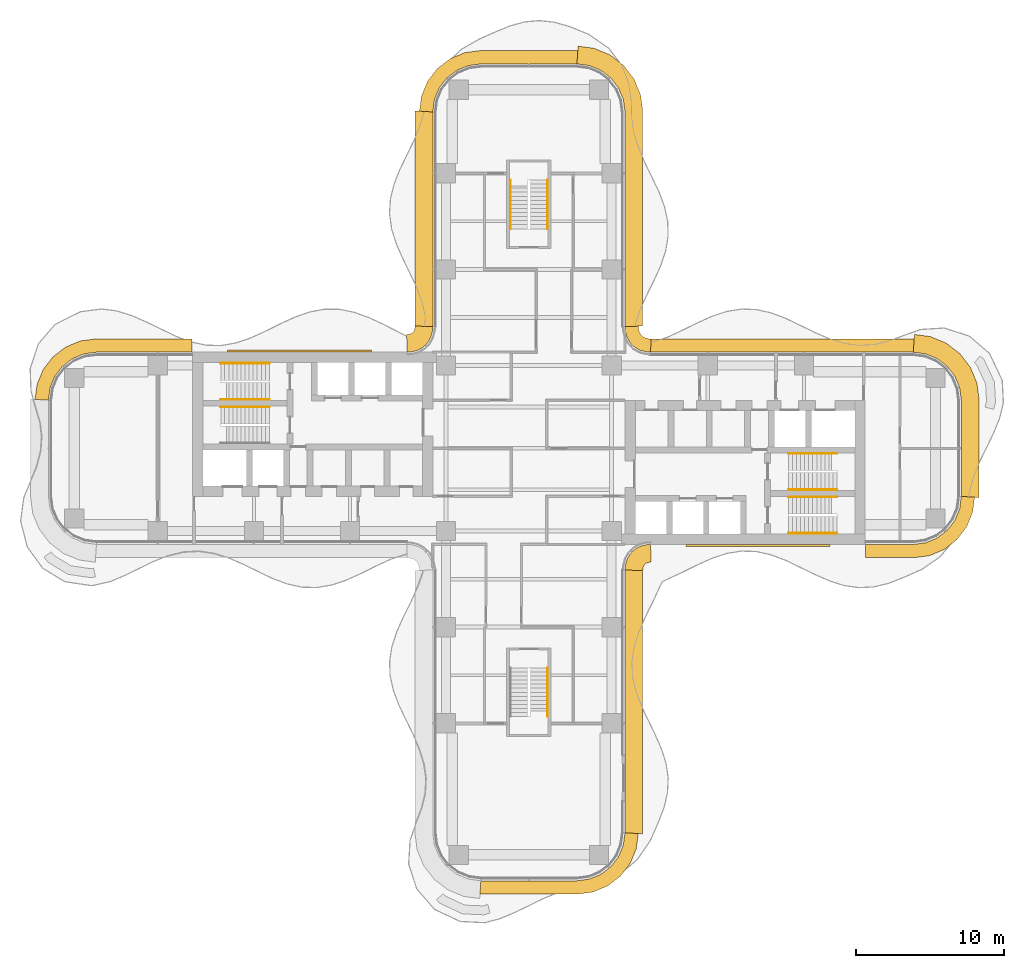
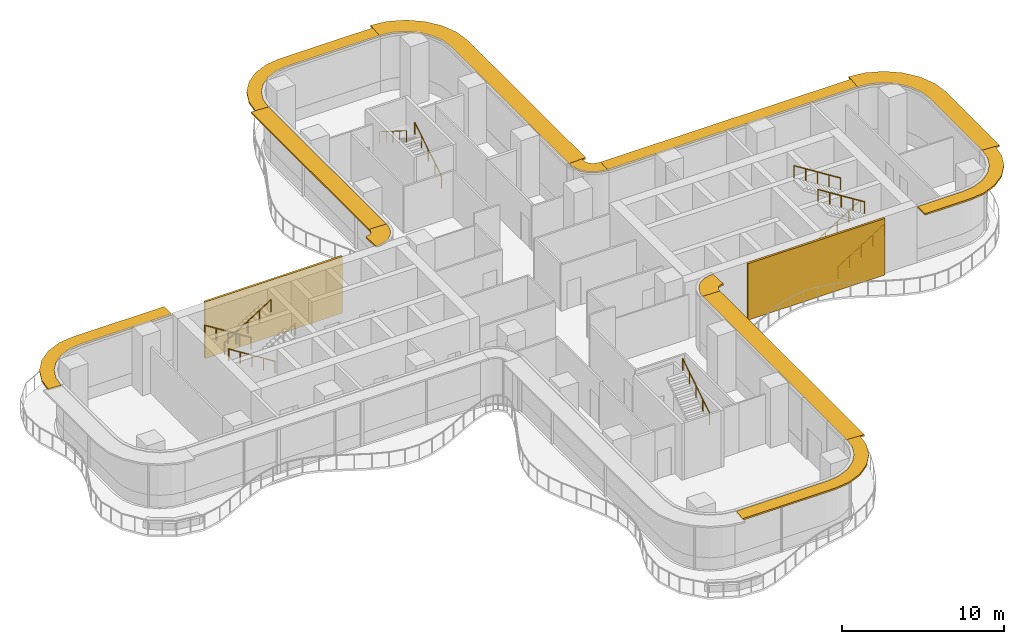
# One storey, part 21 of 21: 12 shading devices, 10 railings, 2 coverings.
"""IFC4 building model written with IfcOpenShell, lengths in metres."""

from ifc_helpers import new_model, si_unit, direction, frame, origin, origin_2d, place, context, subcontext, project, spatial, polyline, circle, outline, extrude, source, transform, mapped, material, layer, layer_set, type_object, element, save


model = new_model("IFC4")

# Units and contexts
model_context = context("Model", 3, precision=1e-05, world=origin(), true_north=direction((0.0, 1.0)))
body_context = subcontext(model_context, "Body", "Model", "MODEL_VIEW")
ifc_project = project(units=[si_unit("LENGTHUNIT", "METRE"), si_unit("AREAUNIT", "SQUARE_METRE"), si_unit("VOLUMEUNIT", "CUBIC_METRE"), si_unit("PLANEANGLEUNIT", "RADIAN"), si_unit("MASSUNIT", "GRAM", prefix="KILO")], contexts=[model_context])

# Site, building, storey
site_placement = place(None, origin())
site = spatial("IfcSite", under=ifc_project, at=site_placement, CompositionType="ELEMENT")
building_placement = place(site_placement, origin())
building = spatial("IfcBuilding", under=site, at=building_placement, Name="Trellis Farm Tower", CompositionType="ELEMENT")
storey_placement = place(building_placement, frame((0.0, 0.0, 106.5)))
storey = spatial("IfcBuildingStorey", under=building, at=storey_placement, Name="L22", CompositionType="ELEMENT", Elevation=106.5)

# Railings
ifc_material_1 = material(Name="Stainless steel", Category="steel")
railing_type = type_object("IfcRailingType", Name="STAIR HANDRAIL 900", PredefinedType="HANDRAIL", material=ifc_material_1)
shared_shape_1 = source(origin(), body_context, "Body", "SweptSolid", [
    extrude(circle(Radius=0.02392578125, at=origin_2d()), frame((0.0, 0.0, 0.8759765625), z_axis=(0.0, 0.846319618018, 0.532675421018), x_axis=(-1.0, 0.0, 0.0)), (0.0, 0.0, 1.0), 3.89892578125),
    extrude(circle(Radius=0.02099609375, at=origin_2d()), origin(), (0.0, 0.0, 1.0), 0.851806640625),
    extrude(circle(Radius=0.02099609375, at=origin_2d()), frame((0.0, 0.824951171875, 0.519287109375)), (0.0, 0.0, 1.0), 0.851806640625),
    extrude(circle(Radius=0.02099609375, at=origin_2d()), frame((0.0, 1.64990234375, 1.03857421875)), (0.0, 0.0, 1.0), 0.851806640625),
    extrude(circle(Radius=0.02099609375, at=origin_2d()), frame((0.0, 2.474853515625, 1.5576171875)), (0.0, 0.0, 1.0), 0.851806640625),
    extrude(circle(Radius=0.02099609375, at=origin_2d()), frame((0.0, 3.2998046875, 2.076904296875)), (0.0, 0.0, 1.0), 0.851806640625),
])
for number, where, name in (
    (1, (1.25, 14.85009765625, 0.173095703125), "Stair handrail"),
    (2, (1.25, -18.14990234375, 2.423095703125), "Stair handrail"),
):
    element("IfcRailing", number, at=place(storey_placement, frame(where)), inside=storey, type_object=railing_type, Name=name, PredefinedType="HANDRAIL", context=body_context, shape_type="MappedRepresentation", body=[
        mapped(shared_shape_1, transform((0.0, 0.0, 0.0))),
    ])
shared_shape_2 = source(origin(), body_context, "Body", "SweptSolid", [
    extrude(circle(Radius=0.02392578125, at=origin_2d()), frame((0.0, 0.0, 0.8759765625), z_axis=(0.0, -0.846319618018, 0.532675421018), x_axis=(1.0, 0.0, 0.0)), (0.0, 0.0, 1.0), 3.89892578125),
    extrude(circle(Radius=0.02099609375, at=origin_2d()), origin(), (0.0, 0.0, 1.0), 0.851806640625),
    extrude(circle(Radius=0.02099609375, at=origin_2d()), frame((0.0, -0.824951171875, 0.519287109375)), (0.0, 0.0, 1.0), 0.851806640625),
    extrude(circle(Radius=0.02099609375, at=origin_2d()), frame((0.0, -1.64990234375, 1.03857421875)), (0.0, 0.0, 1.0), 0.851806640625),
    extrude(circle(Radius=0.02099609375, at=origin_2d()), frame((0.0, -2.474853515625, 1.5576171875)), (0.0, 0.0, 1.0), 0.851806640625),
    extrude(circle(Radius=0.02099609375, at=origin_2d()), frame((0.0, -3.2998046875, 2.076904296875)), (0.0, 0.0, 1.0), 0.851806640625),
])
railing_placement = place(storey_placement, frame((-1.25, 18.14990234375, 2.423095703125)))
element("IfcRailing", 3, at=railing_placement, inside=storey, type_object=railing_type, Name="Stair handrail", PredefinedType="HANDRAIL", context=body_context, shape_type="MappedRepresentation", body=[
    mapped(shared_shape_2, transform((0.0, 0.0, 0.0))),
])
shared_shape_3 = source(origin(), body_context, "Body", "SweptSolid", [
    extrude(circle(Radius=0.02392578125, at=origin_2d()), frame((0.0, 0.0, 0.8759765625), z_axis=(0.846337383501, 0.0, 0.532647194011), x_axis=(0.0, 1.0, 0.0)), (0.0, 0.0, 1.0), 3.899169921875),
    extrude(circle(Radius=0.02099609375, at=origin_2d()), origin(), (0.0, 0.0, 1.0), 0.851806640625),
    extrude(circle(Radius=0.02099609375, at=origin_2d()), frame((0.824951171875, 0.0, 0.519287109375)), (0.0, 0.0, 1.0), 0.851806640625),
    extrude(circle(Radius=0.02099609375, at=origin_2d()), frame((1.64990234375, 0.0, 1.03857421875)), (0.0, 0.0, 1.0), 0.851806640625),
    extrude(circle(Radius=0.02099609375, at=origin_2d()), frame((2.47509765625, 0.0, 1.5576171875)), (0.0, 0.0, 1.0), 0.851806640625),
    extrude(circle(Radius=0.02099609375, at=origin_2d()), frame((3.300048828125, 0.0, 2.076904296875)), (0.0, 0.0, 1.0), 0.851806640625),
])
for number, where, name in (
    (4, (17.550048828125, -5.75, 0.173095703125), "Stair handrail"),
    (5, (17.550048828125, -2.800048828125, 0.173095703125), "Stair handrail"),
    (6, (-20.85009765625, 3.300048828125, 2.423095703125), "Stair handrail"),
):
    element("IfcRailing", number, at=place(storey_placement, frame(where)), inside=storey, type_object=railing_type, Name=name, PredefinedType="HANDRAIL", context=body_context, shape_type="MappedRepresentation", body=[
        mapped(shared_shape_3, transform((0.0, 0.0, 0.0))),
    ])
shared_shape_4 = source(origin(), body_context, "Body", "SweptSolid", [
    extrude(circle(Radius=0.02392578125, at=origin_2d()), frame((0.0, 0.0, 0.8759765625), z_axis=(-0.846337383501, 0.0, 0.532647194011), x_axis=(0.0, -1.0, 0.0)), (0.0, 0.0, 1.0), 3.899169921875),
    extrude(circle(Radius=0.02099609375, at=origin_2d()), origin(), (0.0, 0.0, 1.0), 0.851806640625),
    extrude(circle(Radius=0.02099609375, at=origin_2d()), frame((-0.824951171875, 0.0, 0.519287109375)), (0.0, 0.0, 1.0), 0.851806640625),
    extrude(circle(Radius=0.02099609375, at=origin_2d()), frame((-1.64990234375, 0.0, 1.03857421875)), (0.0, 0.0, 1.0), 0.851806640625),
    extrude(circle(Radius=0.02099609375, at=origin_2d()), frame((-2.47509765625, 0.0, 1.5576171875)), (0.0, 0.0, 1.0), 0.851806640625),
    extrude(circle(Radius=0.02099609375, at=origin_2d()), frame((-3.300048828125, 0.0, 2.076904296875)), (0.0, 0.0, 1.0), 0.851806640625),
])
for number, where, name in (
    (7, (20.85009765625, -3.300048828125, 2.423095703125), "Stair handrail"),
    (8, (20.85009765625, -0.35009765625, 2.423095703125), "Stair handrail"),
    (9, (-17.550048828125, 5.75, 0.173095703125), "Stair handrail"),
    (10, (-17.550048828125, 2.800048828125, 0.173095703125), "Stair handrail"),
):
    element("IfcRailing", number, at=place(storey_placement, frame(where)), inside=storey, type_object=railing_type, Name=name, PredefinedType="HANDRAIL", context=body_context, shape_type="MappedRepresentation", body=[
        mapped(shared_shape_4, transform((0.0, 0.0, 0.0))),
    ])

# Shading devices
ifc_material_2 = material(Name="Aluminium extrusion 6063-T6", Category="aluminium")
ifc_layer_1 = layer(ifc_material_2, 0.1201171875)
ifc_layer_set_1 = layer_set([ifc_layer_1], Name="SUNSHADE BLADE 900")
shading_device_type_1 = type_object("IfcShadingDeviceType", Name="SUNSHADE BLADE 900", PredefinedType="USERDEFINED", material=ifc_layer_set_1)
shared_shape_5 = source(origin(), body_context, "Body", "SweptSolid", [
    extrude(outline(polyline([(-3.30908203125, -30.14990234375), (3.30908203125, -30.14990234375), (4.326171875, -30.01611328125), (5.328857421875, -29.600830078125), (6.18994140625, -28.93994140625), (6.850830078125, -28.078857421875), (7.26611328125, -27.076171875), (7.39990234375, -26.05908203125), (6.5, -26.0), (6.38916015625, -26.841064453125), (6.064697265625, -27.625), (5.548095703125, -28.298095703125), (4.875, -28.814697265625), (4.091064453125, -29.13916015625), (3.25, -29.25), (-3.25, -29.25), (-3.30908203125, -30.14990234375)])), origin(), (0.0, 0.0, 1.0), 0.119873046875),
])
placement_1 = place(storey_placement, frame((0.0, 0.0, 4.090087890625)))
element("IfcShadingDevice", 11, at=placement_1, inside=storey, type_object=shading_device_type_1, Name="SD1 004", ObjectType="SUNSHADE", PredefinedType="USERDEFINED", context=body_context, shape_type="MappedRepresentation", body=[
    mapped(shared_shape_5, transform((0.0, 0.0, 0.0))),
])
ifc_layer_2 = layer(ifc_material_2, 0.1201171875)
ifc_layer_set_2 = layer_set([ifc_layer_2], Name="SUNSHADE BLADE 1200")
shading_device_type_2 = type_object("IfcShadingDeviceType", Name="SUNSHADE BLADE 1200", PredefinedType="USERDEFINED", material=ifc_layer_set_2)
shared_shape_6 = source(origin(), body_context, "Body", "SweptSolid", [
    extrude(outline(polyline([(7.699951171875, -26.07861328125), (7.699951171875, -8.270751953125), (6.5, -8.2314453125), (6.5, -26.0), (7.699951171875, -26.07861328125)])), origin(), (0.0, 0.0, 1.0), 0.119873046875),
])
element("IfcShadingDevice", 12, at=placement_1, inside=storey, type_object=shading_device_type_2, Name="SD2 005", ObjectType="SUNSHADE", PredefinedType="USERDEFINED", context=body_context, shape_type="MappedRepresentation", body=[
    mapped(shared_shape_6, transform((0.0, 0.0, 0.0))),
])
shared_shape_7 = source(origin(), body_context, "Body", "SweptSolid", [
    extrude(outline(polyline([(7.699951171875, -8.270751953125), (7.708740234375, -8.13720703125), (7.70703125, -8.150146484375), (7.7548828125, -7.9716796875), (7.80712890625, -7.881103515625), (7.881103515625, -7.80712890625), (7.9716796875, -7.7548828125), (8.150146484375, -7.70703125), (8.13720703125, -7.708740234375), (8.270751953125, -7.699951171875), (8.2314453125, -6.5), (8.01953125, -6.513916015625), (7.91552734375, -6.527587890625), (7.508544921875, -6.63671875), (7.144287109375, -6.846923828125), (6.846923828125, -7.144287109375), (6.63671875, -7.508544921875), (6.527587890625, -7.91552734375), (6.513916015625, -8.01953125), (6.5, -8.2314453125), (7.699951171875, -8.270751953125)])), origin(), (0.0, 0.0, 1.0), 0.119873046875),
])
element("IfcShadingDevice", 13, at=placement_1, inside=storey, type_object=shading_device_type_2, Name="SD2 006", ObjectType="SUNSHADE", PredefinedType="USERDEFINED", context=body_context, shape_type="MappedRepresentation", body=[
    mapped(shared_shape_7, transform((0.0, 0.0, 0.0))),
])
shared_shape_8 = source(origin(), body_context, "Body", "SweptSolid", [
    extrude(outline(polyline([(8.2607421875, 7.39990234375), (8.107666015625, 7.409912109375), (8.091552734375, 7.412109375), (7.85595703125, 7.475341796875), (7.697021484375, 7.567138671875), (7.567138671875, 7.697021484375), (7.475341796875, 7.85595703125), (7.412109375, 8.091552734375), (7.409912109375, 8.107666015625), (7.39990234375, 8.2607421875), (6.5, 8.2314453125), (6.513916015625, 8.01953125), (6.527587890625, 7.91552734375), (6.63671875, 7.508544921875), (6.846923828125, 7.144287109375), (7.144287109375, 6.846923828125), (7.508544921875, 6.63671875), (7.91552734375, 6.527587890625), (8.01953125, 6.513916015625), (8.2314453125, 6.5), (8.2607421875, 7.39990234375)])), origin(), (0.0, 0.0, 1.0), 0.119873046875),
])
element("IfcShadingDevice", 14, at=placement_1, inside=storey, type_object=shading_device_type_1, Name="SD1 010", ObjectType="SUNSHADE", PredefinedType="USERDEFINED", context=body_context, shape_type="MappedRepresentation", body=[
    mapped(shared_shape_8, transform((0.0, 0.0, 0.0))),
])
shared_shape_9 = source(origin(), body_context, "Body", "SweptSolid", [
    extrude(outline(polyline([(-7.699951171875, 8.270751953125), (-7.708740234375, 8.13720703125), (-7.70703125, 8.150146484375), (-7.7548828125, 7.9716796875), (-7.80712890625, 7.881103515625), (-7.881103515625, 7.80712890625), (-7.9716796875, 7.7548828125), (-8.150146484375, 7.70703125), (-8.13720703125, 7.708740234375), (-8.270751953125, 7.699951171875), (-8.2314453125, 6.5), (-8.01953125, 6.513916015625), (-7.91552734375, 6.527587890625), (-7.508544921875, 6.63671875), (-7.144287109375, 6.846923828125), (-6.846923828125, 7.144287109375), (-6.63671875, 7.508544921875), (-6.527587890625, 7.91552734375), (-6.513916015625, 8.01953125), (-6.5, 8.2314453125), (-7.699951171875, 8.270751953125)])), origin(), (0.0, 0.0, 1.0), 0.119873046875),
])
element("IfcShadingDevice", 15, at=placement_1, inside=storey, type_object=shading_device_type_2, Name="SD2 014", ObjectType="SUNSHADE", PredefinedType="USERDEFINED", context=body_context, shape_type="MappedRepresentation", body=[
    mapped(shared_shape_9, transform((0.0, 0.0, 0.0))),
])
shared_shape_10 = source(origin(), body_context, "Body", "SweptSolid", [
    extrude(outline(polyline([(-22.780029296875, 7.39990234375), (-29.30908203125, 7.39990234375), (-30.326171875, 7.26611328125), (-31.328857421875, 6.850830078125), (-32.18994140625, 6.18994140625), (-32.850830078125, 5.328857421875), (-33.26611328125, 4.326171875), (-33.39990234375, 3.30908203125), (-32.5, 3.25), (-32.38916015625, 4.091064453125), (-32.064697265625, 4.875), (-31.548095703125, 5.548095703125), (-30.875, 6.064697265625), (-30.091064453125, 6.38916015625), (-29.25, 6.5), (-22.780029296875, 6.5), (-22.780029296875, 7.39990234375)])), origin(), (0.0, 0.0, 1.0), 0.119873046875),
])
element("IfcShadingDevice", 16, at=placement_1, inside=storey, type_object=shading_device_type_1, Name="SD1 015", ObjectType="SUNSHADE", PredefinedType="USERDEFINED", context=body_context, shape_type="MappedRepresentation", body=[
    mapped(shared_shape_10, transform((0.0, 0.0, 0.0))),
])

# Coverings
ifc_material_3 = material(Name="Perforated precast screen (cobogo)", Category="concrete")
ifc_layer_3 = layer(ifc_material_3, 0.14990234375)
ifc_layer_set_3 = layer_set([ifc_layer_3], Name="COBOGO SCREEN PANEL")
covering_type = type_object("IfcCoveringType", Name="COBOGO SCREEN PANEL", PredefinedType="USERDEFINED", material=ifc_layer_set_3)
shared_shape_11 = source(origin(), body_context, "Body", "SweptSolid", [
    extrude(outline(polyline([(10.630615234375, -6.64990234375), (20.380615234375, -6.64990234375), (20.380615234375, -6.5), (10.630615234375, -6.5), (10.630615234375, -6.64990234375)])), origin(), (0.0, 0.0, 1.0), 4.25),
])
placement_2 = place(storey_placement, origin())
element("IfcCovering", 17, at=placement_2, inside=storey, type_object=covering_type, Name="SC1 01", ObjectType="SCREEN", PredefinedType="USERDEFINED", context=body_context, shape_type="MappedRepresentation", body=[
    mapped(shared_shape_11, transform((0.0, 0.0, 0.0))),
])
shared_shape_12 = source(origin(), body_context, "Body", "SweptSolid", [
    extrude(outline(polyline([(-10.630615234375, 6.64990234375), (-20.380615234375, 6.64990234375), (-20.380615234375, 6.5), (-10.630615234375, 6.5), (-10.630615234375, 6.64990234375)])), origin(), (0.0, 0.0, 1.0), 4.25),
])
element("IfcCovering", 18, at=placement_2, inside=storey, type_object=covering_type, Name="SC1 02", ObjectType="SCREEN", PredefinedType="USERDEFINED", context=body_context, shape_type="MappedRepresentation", body=[
    mapped(shared_shape_12, transform((0.0, 0.0, 0.0))),
])

# Shading devices
shared_shape_13 = source(origin(), body_context, "Body", "SweptSolid", [
    extrude(outline(polyline([(7.699951171875, 8.270751953125), (7.699951171875, 22.82861328125), (7.558349609375, 23.904541015625), (7.11279296875, 24.980224609375), (6.404052734375, 25.904052734375), (5.480224609375, 26.61279296875), (4.404541015625, 27.058349609375), (3.32861328125, 27.199951171875), (3.25, 26.0), (4.091064453125, 25.88916015625), (4.875, 25.564697265625), (5.548095703125, 25.048095703125), (6.064697265625, 24.375), (6.38916015625, 23.591064453125), (6.5, 22.75), (6.5, 8.2314453125), (7.699951171875, 8.270751953125)])), origin(), (0.0, 0.0, 1.0), 0.119873046875),
])
element("IfcShadingDevice", 19, at=placement_1, inside=storey, type_object=shading_device_type_2, Name="SD2 011", ObjectType="SUNSHADE", PredefinedType="USERDEFINED", context=body_context, shape_type="MappedRepresentation", body=[
    mapped(shared_shape_13, transform((0.0, 0.0, 0.0))),
])
shared_shape_14 = source(origin(), body_context, "Body", "SweptSolid", [
    extrude(outline(polyline([(3.30908203125, 26.89990234375), (-3.30908203125, 26.89990234375), (-4.326171875, 26.76611328125), (-5.328857421875, 26.350830078125), (-6.18994140625, 25.68994140625), (-6.850830078125, 24.828857421875), (-7.26611328125, 23.826171875), (-7.39990234375, 22.80908203125), (-6.5, 22.75), (-6.38916015625, 23.591064453125), (-6.064697265625, 24.375), (-5.548095703125, 25.048095703125), (-4.875, 25.564697265625), (-4.091064453125, 25.88916015625), (-3.25, 26.0), (3.25, 26.0), (3.30908203125, 26.89990234375)])), origin(), (0.0, 0.0, 1.0), 0.119873046875),
])
element("IfcShadingDevice", 20, at=placement_1, inside=storey, type_object=shading_device_type_1, Name="SD1 012", ObjectType="SUNSHADE", PredefinedType="USERDEFINED", context=body_context, shape_type="MappedRepresentation", body=[
    mapped(shared_shape_14, transform((0.0, 0.0, 0.0))),
])
shared_shape_15 = source(origin(), body_context, "Body", "SweptSolid", [
    extrude(outline(polyline([(-7.699951171875, 22.82861328125), (-7.699951171875, 8.270751953125), (-6.5, 8.2314453125), (-6.5, 22.75), (-7.699951171875, 22.82861328125)])), origin(), (0.0, 0.0, 1.0), 0.119873046875),
])
element("IfcShadingDevice", 21, at=placement_1, inside=storey, type_object=shading_device_type_2, Name="SD2 013", ObjectType="SUNSHADE", PredefinedType="USERDEFINED", context=body_context, shape_type="MappedRepresentation", body=[
    mapped(shared_shape_15, transform((0.0, 0.0, 0.0))),
])
shared_shape_16 = source(origin(), body_context, "Body", "SweptSolid", [
    extrude(outline(polyline([(22.780029296875, -7.39990234375), (26.05908203125, -7.39990234375), (27.076171875, -7.26611328125), (28.078857421875, -6.850830078125), (28.93994140625, -6.18994140625), (29.600830078125, -5.328857421875), (30.01611328125, -4.326171875), (30.14990234375, -3.30908203125), (29.25, -3.25), (29.13916015625, -4.091064453125), (28.814697265625, -4.875), (28.298095703125, -5.548095703125), (27.625, -6.064697265625), (26.841064453125, -6.38916015625), (26.0, -6.5), (22.780029296875, -6.5), (22.780029296875, -7.39990234375)])), origin(), (0.0, 0.0, 1.0), 0.119873046875),
])
element("IfcShadingDevice", 22, at=placement_1, inside=storey, type_object=shading_device_type_1, Name="SD1 007", ObjectType="SUNSHADE", PredefinedType="USERDEFINED", context=body_context, shape_type="MappedRepresentation", body=[
    mapped(shared_shape_16, transform((0.0, 0.0, 0.0))),
])
shared_shape_17 = source(origin(), body_context, "Body", "SweptSolid", [
    extrude(outline(polyline([(30.449951171875, -3.32861328125), (30.449951171875, 3.32861328125), (30.308349609375, 4.404541015625), (29.86279296875, 5.480224609375), (29.154052734375, 6.404052734375), (28.230224609375, 7.11279296875), (27.154541015625, 7.558349609375), (26.07861328125, 7.699951171875), (26.0, 6.5), (26.841064453125, 6.38916015625), (27.625, 6.064697265625), (28.298095703125, 5.548095703125), (28.814697265625, 4.875), (29.13916015625, 4.091064453125), (29.25, 3.25), (29.25, -3.25), (30.449951171875, -3.32861328125)])), origin(), (0.0, 0.0, 1.0), 0.119873046875),
])
element("IfcShadingDevice", 23, at=placement_1, inside=storey, type_object=shading_device_type_2, Name="SD2 008", ObjectType="SUNSHADE", PredefinedType="USERDEFINED", context=body_context, shape_type="MappedRepresentation", body=[
    mapped(shared_shape_17, transform((0.0, 0.0, 0.0))),
])
shared_shape_18 = source(origin(), body_context, "Body", "SweptSolid", [
    extrude(outline(polyline([(26.05908203125, 7.39990234375), (8.2607421875, 7.39990234375), (8.2314453125, 6.5), (26.0, 6.5), (26.05908203125, 7.39990234375)])), origin(), (0.0, 0.0, 1.0), 0.119873046875),
])
element("IfcShadingDevice", 24, at=placement_1, inside=storey, type_object=shading_device_type_1, Name="SD1 009", ObjectType="SUNSHADE", PredefinedType="USERDEFINED", context=body_context, shape_type="MappedRepresentation", body=[
    mapped(shared_shape_18, transform((0.0, 0.0, 0.0))),
])

save(model, "model.ifc")
